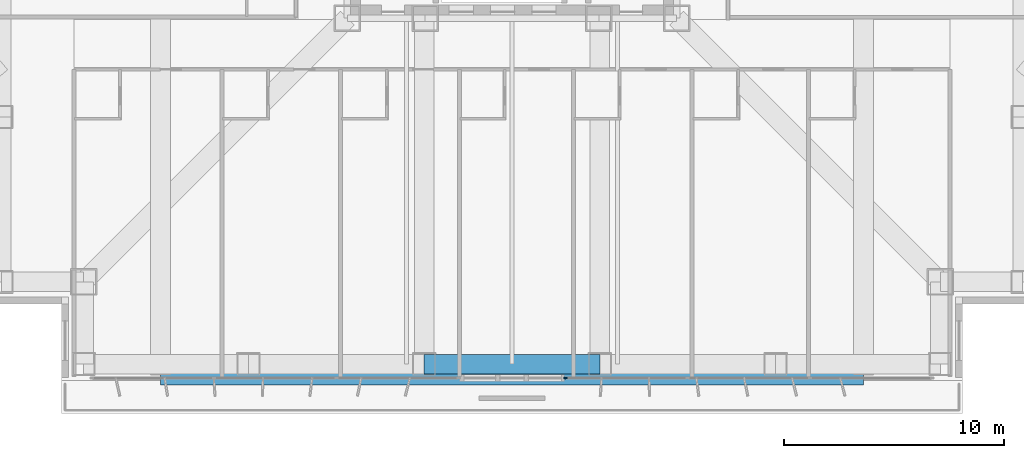
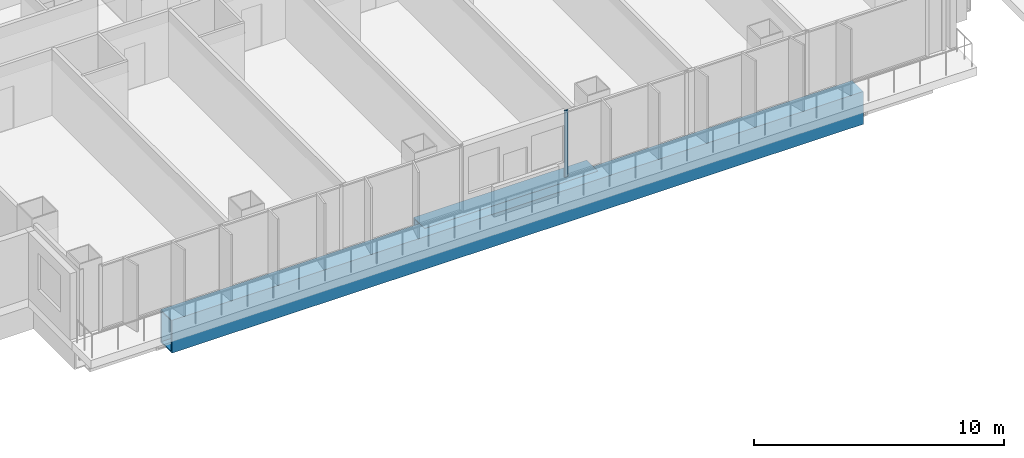
# One storey, part 3 of 24: 2 beams, 1 member, 1 element without a shape of its own.
"""IFC4 building model written with IfcOpenShell, lengths in metres."""

from ifc_helpers import new_model, si_unit, direction, frame, origin, origin_2d, place, context, subcontext, project, spatial, rectangle, hollow_rectangle, extrude, material, layer, layer_set, material_profile, profile_set, type_object, element, aggregate, save


model = new_model("IFC4")

# Units and contexts
model_context = context("Model", 3, precision=1e-05, world=origin(), true_north=direction((0.0, 1.0)))
body_context = subcontext(model_context, "Body", "Model", "MODEL_VIEW")
ifc_project = project(units=[si_unit("LENGTHUNIT", "METRE"), si_unit("AREAUNIT", "SQUARE_METRE"), si_unit("VOLUMEUNIT", "CUBIC_METRE"), si_unit("PLANEANGLEUNIT", "RADIAN"), si_unit("MASSUNIT", "GRAM", prefix="KILO")], contexts=[model_context])

# Site, building, storey
site_placement = place(None, origin())
site = spatial("IfcSite", under=ifc_project, at=site_placement, CompositionType="ELEMENT")
building_placement = place(site_placement, origin())
building = spatial("IfcBuilding", under=site, at=building_placement, Name="Trevonay Congress Spire", CompositionType="ELEMENT")
storey_placement = place(building_placement, frame((0.0, 0.0, 27.0)))
storey = spatial("IfcBuildingStorey", under=building, at=storey_placement, Name="L05", CompositionType="ELEMENT", Elevation=27.0)

# Beams
ifc_material_1 = material(Name="Steel ASTM A572 Grade 50", Category="steel")
ifc_material_profile_1 = material_profile(ifc_material_1, hollow_rectangle(XDim=0.89990234375, YDim=1.60009765625, WallThickness=0.06005859375, at=origin_2d()), Name="BOX 1600x900x60")
ifc_profile_set_1 = profile_set([ifc_material_profile_1], Name="Steel ASTM A572 Grade 50")
beam_type_1 = type_object("IfcBeamType", Name="BM-RING-BOX1600", PredefinedType="BEAM", material=ifc_profile_set_1)
beam_1_placement = place(storey_placement, frame((-4.0, -23.25, -1.199951171875), z_axis=(1.0, 0.0, 0.0), x_axis=(0.0, 1.0, 0.0)))
element("IfcBeam", 1, at=beam_1_placement, inside=storey, type_object=beam_type_1, Name="L05 structural beam BM-L05-PS3", PredefinedType="BEAM", context=body_context, shape_type="SweptSolid", body=[
    extrude(hollow_rectangle(XDim=0.89990234375, YDim=1.60009765625, WallThickness=0.06005859375, at=origin_2d()), origin(), (0.0, 0.0, 1.0), 8.0),
])
ifc_material_profile_2 = material_profile(ifc_material_1, hollow_rectangle(XDim=0.89990234375, YDim=1.60009765625, WallThickness=0.06005859375, at=origin_2d()), Name="BOX 1600x900x60")
ifc_profile_set_2 = profile_set([ifc_material_profile_2], Name="Steel ASTM A572 Grade 50")
beam_type_2 = type_object("IfcBeamType", Name="BM-XFER-BOX1600", PredefinedType="BEAM", material=ifc_profile_set_2)
beam_2_placement = place(storey_placement, frame((-16.0, -23.75, -1.199951171875), z_axis=(1.0, 0.0, 0.0), x_axis=(0.0, 1.0, 0.0)))
element("IfcBeam", 2, at=beam_2_placement, inside=storey, type_object=beam_type_2, Name="L05 structural beam BM-L05T-S", PredefinedType="BEAM", context=body_context, shape_type="SweptSolid", body=[
    extrude(hollow_rectangle(XDim=0.89990234375, YDim=1.60009765625, WallThickness=0.06005859375, at=origin_2d()), origin(), (0.0, 0.0, 1.0), 32.0),
])

# Curtain wall, member
ifc_material_2 = material(Name="Pale Anodised Aluminium EN AW-6063-T6", Category="aluminium")
ifc_layer = layer(ifc_material_2, 0.179931640625, Name="Pale Anodised Aluminium EN AW-6063-T6")
ifc_layer_set = layer_set([ifc_layer], Name="Pale Anodised Aluminium EN AW-6063-T6")
curtain_wall_type = type_object("IfcCurtainWallType", Name="CW-SYS02-HOTEL-PALE-METAL", PredefinedType="NOTDEFINED", material=ifc_layer_set)
curtain_wall_placement = place(storey_placement, origin())
curtain_wall = element("IfcCurtainWall", 3, at=curtain_wall_placement, inside=storey, type_object=curtain_wall_type, Name="L05 SB unitised curtain wall", PredefinedType="NOTDEFINED")
ifc_material_profile_3 = material_profile(ifc_material_2, rectangle(XDim=0.06005859375, YDim=0.159912109375, at=origin_2d()), Name="CW-MULLION-160-ALUMINIUM")
ifc_profile_set_3 = profile_set([ifc_material_profile_3], Name="Pale Anodised Aluminium EN AW-6063-T6")
member_type = type_object("IfcMemberType", Name="CW-MULLION-160-ALUMINIUM", PredefinedType="MULLION", material=ifc_profile_set_3)
member_placement = place(storey_placement, frame((2.429931640625, -23.8798828125, 0.0), z_axis=(0.0, 0.0, 1.0), x_axis=(0.0, 1.0, 0.0)))
member = element("IfcMember", 4, at=member_placement, type_object=member_type, Name="CW02 mullion 1", PredefinedType="MULLION", context=body_context, shape_type="SweptSolid", body=[
    extrude(rectangle(XDim=0.06005859375, YDim=0.159912109375, at=origin_2d()), origin(), (0.0, 0.0, 1.0), 3.25),
])
aggregate(curtain_wall, [member])

save(model, "model.ifc")
